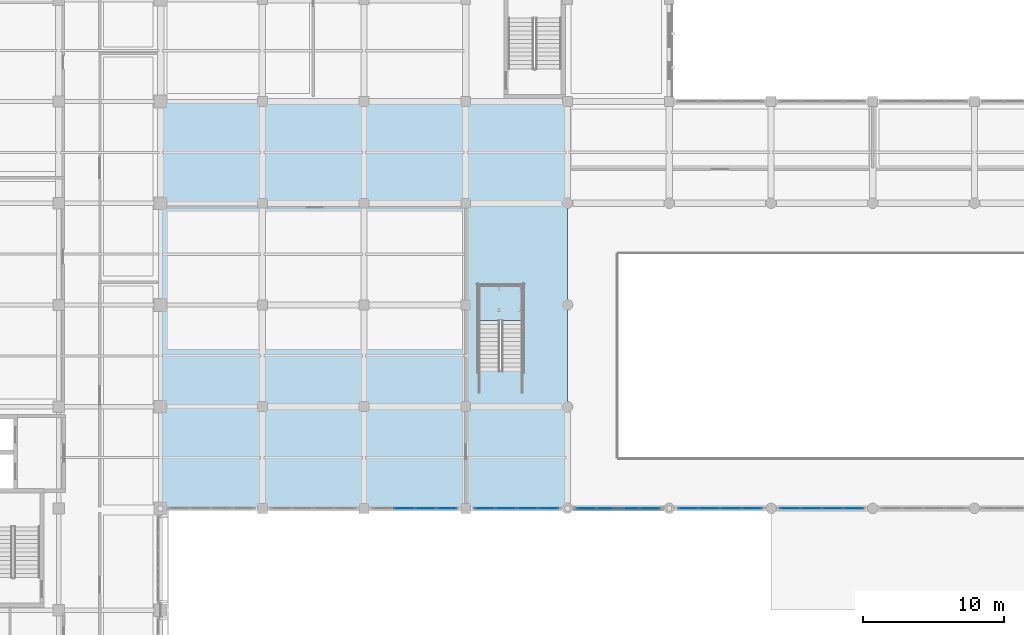
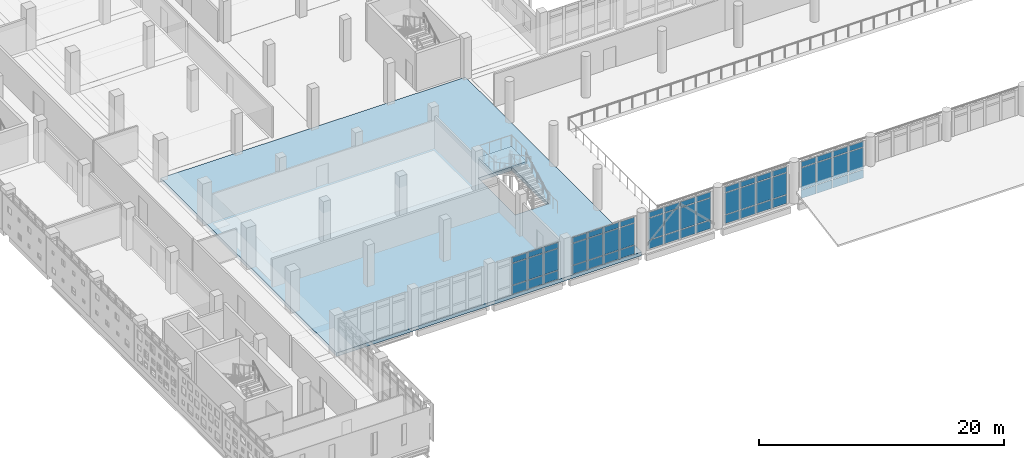
# One storey, part 24 of 57: 57 plates, 2 slabs, 6 elements without a shape of their own.
"""IFC4 building model written with IfcOpenShell, lengths in metres."""

from ifc_helpers import new_model, si_unit, direction, frame, origin, origin_2d, place, context, subcontext, project, spatial, polyline, rectangle, outline, extrude, material, layer, layer_set, type_object, element, aggregate, save


model = new_model("IFC4")

# Units and contexts
model_context = context("Model", 3, precision=1e-05, world=origin(), true_north=direction((0.0, 1.0)))
body_context = subcontext(model_context, "Body", "Model", "MODEL_VIEW")
ifc_project = project(units=[si_unit("LENGTHUNIT", "METRE"), si_unit("AREAUNIT", "SQUARE_METRE"), si_unit("VOLUMEUNIT", "CUBIC_METRE"), si_unit("PLANEANGLEUNIT", "RADIAN"), si_unit("MASSUNIT", "GRAM", prefix="KILO")], contexts=[model_context])

# Site, building, storey
site_placement = place(None, origin())
site = spatial("IfcSite", under=ifc_project, at=site_placement, CompositionType="ELEMENT")
building_placement = place(site_placement, origin())
building = spatial("IfcBuilding", under=site, at=building_placement, Name="Valkovuoma Quantum and Materials Research Institute", CompositionType="ELEMENT")
storey_placement = place(building_placement, frame((0.0, 0.0, 4.800048828125)))
storey = spatial("IfcBuildingStorey", under=building, at=storey_placement, Name="L01", CompositionType="ELEMENT", Elevation=4.800048828125)

# Curtain wall, plates
ifc_material_1 = material(Name="Thermally broken aluminium and triple low-E glazing", Category="aluminium")
ifc_layer_1 = layer(ifc_material_1, 0.219970703125)
ifc_layer_set_1 = layer_set([ifc_layer_1], Name="Thermally broken aluminium and triple low-E glazing")
curtain_wall_type = type_object("IfcCurtainWallType", Name="CW-CW-02", PredefinedType="NOTDEFINED", material=ifc_layer_set_1)
curtain_wall_1_placement = place(storey_placement, origin())
curtain_wall_1 = element("IfcCurtainWall", 1, at=curtain_wall_1_placement, inside=storey, type_object=curtain_wall_type, Name="L01 curtain wall 161", PredefinedType="NOTDEFINED")
ifc_material_2 = material(Name="Triple low-E argon insulating glass", Category="glass")
ifc_layer_2 = layer(ifc_material_2, 0.048095703125)
ifc_layer_set_2 = layer_set([ifc_layer_2], Name="Triple low-E argon insulating glass")
plate_type = type_object("IfcPlateType", Name="CWPanel-CWP-03", PredefinedType="CURTAIN_PANEL", material=ifc_layer_set_2)
plate_1_placement = place(storey_placement, frame((31.64501953125, 36.0, 0.074951171875), z_axis=(0.0, 0.0, 1.0), x_axis=(1.0, 0.0, 0.0)))
plate_1 = element("IfcPlate", 2, at=plate_1_placement, type_object=plate_type, Name="CW-02 panel 2.1", PredefinedType="CURTAIN_PANEL", context=body_context, shape_type="SweptSolid", body=[
    extrude(rectangle(XDim=1.429931640625, YDim=0.048095703125, at=origin_2d()), origin(), (0.0, 0.0, 1.0), 0.83740234375),
])
plate_2_placement = place(storey_placement, frame((31.64501953125, 36.0, 0.9873046875), z_axis=(0.0, 0.0, 1.0), x_axis=(1.0, 0.0, 0.0)))
plate_2 = element("IfcPlate", 3, at=plate_2_placement, type_object=plate_type, Name="CW-02 panel 2.2", PredefinedType="CURTAIN_PANEL", context=body_context, shape_type="SweptSolid", body=[
    extrude(rectangle(XDim=1.429931640625, YDim=0.048095703125, at=origin_2d()), origin(), (0.0, 0.0, 1.0), 2.135009765625),
])
plate_3_placement = place(storey_placement, frame((31.64501953125, 36.0, 3.197509765625), z_axis=(0.0, 0.0, 1.0), x_axis=(1.0, 0.0, 0.0)))
plate_3 = element("IfcPlate", 4, at=plate_3_placement, type_object=plate_type, Name="CW-02 panel 2.3", PredefinedType="CURTAIN_PANEL", context=body_context, shape_type="SweptSolid", body=[
    extrude(rectangle(XDim=1.429931640625, YDim=0.048095703125, at=origin_2d()), origin(), (0.0, 0.0, 1.0), 0.53759765625),
])
plate_4_placement = place(storey_placement, frame((33.155029296875, 36.0, 0.074951171875), z_axis=(0.0, 0.0, 1.0), x_axis=(1.0, 0.0, 0.0)))
plate_4 = element("IfcPlate", 5, at=plate_4_placement, type_object=plate_type, Name="CW-02 panel 3.1", PredefinedType="CURTAIN_PANEL", context=body_context, shape_type="SweptSolid", body=[
    extrude(rectangle(XDim=1.429931640625, YDim=0.048095703125, at=origin_2d()), origin(), (0.0, 0.0, 1.0), 0.83740234375),
])
plate_5_placement = place(storey_placement, frame((33.155029296875, 36.0, 0.9873046875), z_axis=(0.0, 0.0, 1.0), x_axis=(1.0, 0.0, 0.0)))
plate_5 = element("IfcPlate", 6, at=plate_5_placement, type_object=plate_type, Name="CW-02 panel 3.2", PredefinedType="CURTAIN_PANEL", context=body_context, shape_type="SweptSolid", body=[
    extrude(rectangle(XDim=1.429931640625, YDim=0.048095703125, at=origin_2d()), origin(), (0.0, 0.0, 1.0), 2.135009765625),
])
plate_6_placement = place(storey_placement, frame((33.155029296875, 36.0, 3.197509765625), z_axis=(0.0, 0.0, 1.0), x_axis=(1.0, 0.0, 0.0)))
plate_6 = element("IfcPlate", 7, at=plate_6_placement, type_object=plate_type, Name="CW-02 panel 3.3", PredefinedType="CURTAIN_PANEL", context=body_context, shape_type="SweptSolid", body=[
    extrude(rectangle(XDim=1.429931640625, YDim=0.048095703125, at=origin_2d()), origin(), (0.0, 0.0, 1.0), 0.53759765625),
])
plate_7_placement = place(storey_placement, frame((34.64501953125, 36.0, 0.074951171875), z_axis=(0.0, 0.0, 1.0), x_axis=(1.0, 0.0, 0.0)))
plate_7 = element("IfcPlate", 8, at=plate_7_placement, type_object=plate_type, Name="CW-02 panel 4.1", PredefinedType="CURTAIN_PANEL", context=body_context, shape_type="SweptSolid", body=[
    extrude(rectangle(XDim=1.389892578125, YDim=0.048095703125, at=origin_2d()), origin(), (0.0, 0.0, 1.0), 0.83740234375),
])
plate_8_placement = place(storey_placement, frame((34.64501953125, 36.0, 0.9873046875), z_axis=(0.0, 0.0, 1.0), x_axis=(1.0, 0.0, 0.0)))
plate_8 = element("IfcPlate", 9, at=plate_8_placement, type_object=plate_type, Name="CW-02 panel 4.2", PredefinedType="CURTAIN_PANEL", context=body_context, shape_type="SweptSolid", body=[
    extrude(rectangle(XDim=1.389892578125, YDim=0.048095703125, at=origin_2d()), origin(), (0.0, 0.0, 1.0), 2.135009765625),
])
plate_9_placement = place(storey_placement, frame((34.64501953125, 36.0, 3.197509765625), z_axis=(0.0, 0.0, 1.0), x_axis=(1.0, 0.0, 0.0)))
plate_9 = element("IfcPlate", 10, at=plate_9_placement, type_object=plate_type, Name="CW-02 panel 4.3", PredefinedType="CURTAIN_PANEL", context=body_context, shape_type="SweptSolid", body=[
    extrude(rectangle(XDim=1.389892578125, YDim=0.048095703125, at=origin_2d()), origin(), (0.0, 0.0, 1.0), 0.53759765625),
])
aggregate(curtain_wall_1, [plate_1, plate_2, plate_3, plate_4, plate_5, plate_6, plate_7, plate_8, plate_9])

curtain_wall_2_placement = place(storey_placement, origin())
curtain_wall_2 = element("IfcCurtainWall", 11, at=curtain_wall_2_placement, inside=storey, type_object=curtain_wall_type, Name="L01 curtain wall 162", PredefinedType="NOTDEFINED")
plate_10_placement = place(storey_placement, frame((37.35498046875, 36.0, 0.074951171875), z_axis=(0.0, 0.0, 1.0), x_axis=(1.0, 0.0, 0.0)))
plate_10 = element("IfcPlate", 12, at=plate_10_placement, type_object=plate_type, Name="CW-02 panel 1.1", PredefinedType="CURTAIN_PANEL", context=body_context, shape_type="SweptSolid", body=[
    extrude(rectangle(XDim=1.389892578125, YDim=0.048095703125, at=origin_2d()), origin(), (0.0, 0.0, 1.0), 0.83740234375),
])
plate_11_placement = place(storey_placement, frame((37.35498046875, 36.0, 0.9873046875), z_axis=(0.0, 0.0, 1.0), x_axis=(1.0, 0.0, 0.0)))
plate_11 = element("IfcPlate", 13, at=plate_11_placement, type_object=plate_type, Name="CW-02 panel 1.2", PredefinedType="CURTAIN_PANEL", context=body_context, shape_type="SweptSolid", body=[
    extrude(rectangle(XDim=1.389892578125, YDim=0.048095703125, at=origin_2d()), origin(), (0.0, 0.0, 1.0), 2.135009765625),
])
plate_12_placement = place(storey_placement, frame((37.35498046875, 36.0, 3.197509765625), z_axis=(0.0, 0.0, 1.0), x_axis=(1.0, 0.0, 0.0)))
plate_12 = element("IfcPlate", 14, at=plate_12_placement, type_object=plate_type, Name="CW-02 panel 1.3", PredefinedType="CURTAIN_PANEL", context=body_context, shape_type="SweptSolid", body=[
    extrude(rectangle(XDim=1.389892578125, YDim=0.048095703125, at=origin_2d()), origin(), (0.0, 0.0, 1.0), 0.53759765625),
])
plate_13_placement = place(storey_placement, frame((38.844970703125, 36.0, 0.074951171875), z_axis=(0.0, 0.0, 1.0), x_axis=(1.0, 0.0, 0.0)))
plate_13 = element("IfcPlate", 15, at=plate_13_placement, type_object=plate_type, Name="CW-02 panel 2.1", PredefinedType="CURTAIN_PANEL", context=body_context, shape_type="SweptSolid", body=[
    extrude(rectangle(XDim=1.429931640625, YDim=0.048095703125, at=origin_2d()), origin(), (0.0, 0.0, 1.0), 0.83740234375),
])
plate_14_placement = place(storey_placement, frame((38.844970703125, 36.0, 0.9873046875), z_axis=(0.0, 0.0, 1.0), x_axis=(1.0, 0.0, 0.0)))
plate_14 = element("IfcPlate", 16, at=plate_14_placement, type_object=plate_type, Name="CW-02 panel 2.2", PredefinedType="CURTAIN_PANEL", context=body_context, shape_type="SweptSolid", body=[
    extrude(rectangle(XDim=1.429931640625, YDim=0.048095703125, at=origin_2d()), origin(), (0.0, 0.0, 1.0), 2.135009765625),
])
plate_15_placement = place(storey_placement, frame((38.844970703125, 36.0, 3.197509765625), z_axis=(0.0, 0.0, 1.0), x_axis=(1.0, 0.0, 0.0)))
plate_15 = element("IfcPlate", 17, at=plate_15_placement, type_object=plate_type, Name="CW-02 panel 2.3", PredefinedType="CURTAIN_PANEL", context=body_context, shape_type="SweptSolid", body=[
    extrude(rectangle(XDim=1.429931640625, YDim=0.048095703125, at=origin_2d()), origin(), (0.0, 0.0, 1.0), 0.53759765625),
])
plate_16_placement = place(storey_placement, frame((40.35498046875, 36.0, 0.074951171875), z_axis=(0.0, 0.0, 1.0), x_axis=(1.0, 0.0, 0.0)))
plate_16 = element("IfcPlate", 18, at=plate_16_placement, type_object=plate_type, Name="CW-02 panel 3.1", PredefinedType="CURTAIN_PANEL", context=body_context, shape_type="SweptSolid", body=[
    extrude(rectangle(XDim=1.429931640625, YDim=0.048095703125, at=origin_2d()), origin(), (0.0, 0.0, 1.0), 0.83740234375),
])
plate_17_placement = place(storey_placement, frame((40.35498046875, 36.0, 0.9873046875), z_axis=(0.0, 0.0, 1.0), x_axis=(1.0, 0.0, 0.0)))
plate_17 = element("IfcPlate", 19, at=plate_17_placement, type_object=plate_type, Name="CW-02 panel 3.2", PredefinedType="CURTAIN_PANEL", context=body_context, shape_type="SweptSolid", body=[
    extrude(rectangle(XDim=1.429931640625, YDim=0.048095703125, at=origin_2d()), origin(), (0.0, 0.0, 1.0), 2.135009765625),
])
plate_18_placement = place(storey_placement, frame((40.35498046875, 36.0, 3.197509765625), z_axis=(0.0, 0.0, 1.0), x_axis=(1.0, 0.0, 0.0)))
plate_18 = element("IfcPlate", 20, at=plate_18_placement, type_object=plate_type, Name="CW-02 panel 3.3", PredefinedType="CURTAIN_PANEL", context=body_context, shape_type="SweptSolid", body=[
    extrude(rectangle(XDim=1.429931640625, YDim=0.048095703125, at=origin_2d()), origin(), (0.0, 0.0, 1.0), 0.53759765625),
])
plate_19_placement = place(storey_placement, frame((41.844970703125, 36.0, 0.074951171875), z_axis=(0.0, 0.0, 1.0), x_axis=(1.0, 0.0, 0.0)))
plate_19 = element("IfcPlate", 21, at=plate_19_placement, type_object=plate_type, Name="CW-02 panel 4.1", PredefinedType="CURTAIN_PANEL", context=body_context, shape_type="SweptSolid", body=[
    extrude(rectangle(XDim=1.389892578125, YDim=0.048095703125, at=origin_2d()), origin(), (0.0, 0.0, 1.0), 0.83740234375),
])
plate_20_placement = place(storey_placement, frame((41.844970703125, 36.0, 0.9873046875), z_axis=(0.0, 0.0, 1.0), x_axis=(1.0, 0.0, 0.0)))
plate_20 = element("IfcPlate", 22, at=plate_20_placement, type_object=plate_type, Name="CW-02 panel 4.2", PredefinedType="CURTAIN_PANEL", context=body_context, shape_type="SweptSolid", body=[
    extrude(rectangle(XDim=1.389892578125, YDim=0.048095703125, at=origin_2d()), origin(), (0.0, 0.0, 1.0), 2.135009765625),
])
plate_21_placement = place(storey_placement, frame((41.844970703125, 36.0, 3.197509765625), z_axis=(0.0, 0.0, 1.0), x_axis=(1.0, 0.0, 0.0)))
plate_21 = element("IfcPlate", 23, at=plate_21_placement, type_object=plate_type, Name="CW-02 panel 4.3", PredefinedType="CURTAIN_PANEL", context=body_context, shape_type="SweptSolid", body=[
    extrude(rectangle(XDim=1.389892578125, YDim=0.048095703125, at=origin_2d()), origin(), (0.0, 0.0, 1.0), 0.53759765625),
])
aggregate(curtain_wall_2, [plate_10, plate_11, plate_12, plate_13, plate_14, plate_15, plate_16, plate_17, plate_18, plate_19, plate_20, plate_21])

curtain_wall_3_placement = place(storey_placement, origin())
curtain_wall_3 = element("IfcCurtainWall", 24, at=curtain_wall_3_placement, inside=storey, type_object=curtain_wall_type, Name="L01 curtain wall 163", PredefinedType="NOTDEFINED")
plate_22_placement = place(storey_placement, frame((44.554931640625, 36.0, 0.074951171875), z_axis=(0.0, 0.0, 1.0), x_axis=(1.0, 0.0, 0.0)))
plate_22 = element("IfcPlate", 25, at=plate_22_placement, type_object=plate_type, Name="CW-02 panel 1.1", PredefinedType="CURTAIN_PANEL", context=body_context, shape_type="SweptSolid", body=[
    extrude(rectangle(XDim=1.389892578125, YDim=0.048095703125, at=origin_2d()), origin(), (0.0, 0.0, 1.0), 0.83740234375),
])
plate_23_placement = place(storey_placement, frame((44.554931640625, 36.0, 0.9873046875), z_axis=(0.0, 0.0, 1.0), x_axis=(1.0, 0.0, 0.0)))
plate_23 = element("IfcPlate", 26, at=plate_23_placement, type_object=plate_type, Name="CW-02 panel 1.2", PredefinedType="CURTAIN_PANEL", context=body_context, shape_type="SweptSolid", body=[
    extrude(rectangle(XDim=1.389892578125, YDim=0.048095703125, at=origin_2d()), origin(), (0.0, 0.0, 1.0), 2.135009765625),
])
plate_24_placement = place(storey_placement, frame((44.554931640625, 36.0, 3.197509765625), z_axis=(0.0, 0.0, 1.0), x_axis=(1.0, 0.0, 0.0)))
plate_24 = element("IfcPlate", 27, at=plate_24_placement, type_object=plate_type, Name="CW-02 panel 1.3", PredefinedType="CURTAIN_PANEL", context=body_context, shape_type="SweptSolid", body=[
    extrude(rectangle(XDim=1.389892578125, YDim=0.048095703125, at=origin_2d()), origin(), (0.0, 0.0, 1.0), 0.53759765625),
])
plate_25_placement = place(storey_placement, frame((46.044921875, 36.0, 0.074951171875), z_axis=(0.0, 0.0, 1.0), x_axis=(1.0, 0.0, 0.0)))
plate_25 = element("IfcPlate", 28, at=plate_25_placement, type_object=plate_type, Name="CW-02 panel 2.1", PredefinedType="CURTAIN_PANEL", context=body_context, shape_type="SweptSolid", body=[
    extrude(rectangle(XDim=1.429931640625, YDim=0.048095703125, at=origin_2d()), origin(), (0.0, 0.0, 1.0), 0.83740234375),
])
plate_26_placement = place(storey_placement, frame((46.044921875, 36.0, 0.9873046875), z_axis=(0.0, 0.0, 1.0), x_axis=(1.0, 0.0, 0.0)))
plate_26 = element("IfcPlate", 29, at=plate_26_placement, type_object=plate_type, Name="CW-02 panel 2.2", PredefinedType="CURTAIN_PANEL", context=body_context, shape_type="SweptSolid", body=[
    extrude(rectangle(XDim=1.429931640625, YDim=0.048095703125, at=origin_2d()), origin(), (0.0, 0.0, 1.0), 2.135009765625),
])
plate_27_placement = place(storey_placement, frame((46.044921875, 36.0, 3.197509765625), z_axis=(0.0, 0.0, 1.0), x_axis=(1.0, 0.0, 0.0)))
plate_27 = element("IfcPlate", 30, at=plate_27_placement, type_object=plate_type, Name="CW-02 panel 2.3", PredefinedType="CURTAIN_PANEL", context=body_context, shape_type="SweptSolid", body=[
    extrude(rectangle(XDim=1.429931640625, YDim=0.048095703125, at=origin_2d()), origin(), (0.0, 0.0, 1.0), 0.53759765625),
])
plate_28_placement = place(storey_placement, frame((47.554931640625, 36.0, 0.074951171875), z_axis=(0.0, 0.0, 1.0), x_axis=(1.0, 0.0, 0.0)))
plate_28 = element("IfcPlate", 31, at=plate_28_placement, type_object=plate_type, Name="CW-02 panel 3.1", PredefinedType="CURTAIN_PANEL", context=body_context, shape_type="SweptSolid", body=[
    extrude(rectangle(XDim=1.429931640625, YDim=0.048095703125, at=origin_2d()), origin(), (0.0, 0.0, 1.0), 0.83740234375),
])
plate_29_placement = place(storey_placement, frame((47.554931640625, 36.0, 0.9873046875), z_axis=(0.0, 0.0, 1.0), x_axis=(1.0, 0.0, 0.0)))
plate_29 = element("IfcPlate", 32, at=plate_29_placement, type_object=plate_type, Name="CW-02 panel 3.2", PredefinedType="CURTAIN_PANEL", context=body_context, shape_type="SweptSolid", body=[
    extrude(rectangle(XDim=1.429931640625, YDim=0.048095703125, at=origin_2d()), origin(), (0.0, 0.0, 1.0), 2.135009765625),
])
plate_30_placement = place(storey_placement, frame((47.554931640625, 36.0, 3.197509765625), z_axis=(0.0, 0.0, 1.0), x_axis=(1.0, 0.0, 0.0)))
plate_30 = element("IfcPlate", 33, at=plate_30_placement, type_object=plate_type, Name="CW-02 panel 3.3", PredefinedType="CURTAIN_PANEL", context=body_context, shape_type="SweptSolid", body=[
    extrude(rectangle(XDim=1.429931640625, YDim=0.048095703125, at=origin_2d()), origin(), (0.0, 0.0, 1.0), 0.53759765625),
])
plate_31_placement = place(storey_placement, frame((49.044921875, 36.0, 0.074951171875), z_axis=(0.0, 0.0, 1.0), x_axis=(1.0, 0.0, 0.0)))
plate_31 = element("IfcPlate", 34, at=plate_31_placement, type_object=plate_type, Name="CW-02 panel 4.1", PredefinedType="CURTAIN_PANEL", context=body_context, shape_type="SweptSolid", body=[
    extrude(rectangle(XDim=1.389892578125, YDim=0.048095703125, at=origin_2d()), origin(), (0.0, 0.0, 1.0), 0.83740234375),
])
plate_32_placement = place(storey_placement, frame((49.044921875, 36.0, 0.9873046875), z_axis=(0.0, 0.0, 1.0), x_axis=(1.0, 0.0, 0.0)))
plate_32 = element("IfcPlate", 35, at=plate_32_placement, type_object=plate_type, Name="CW-02 panel 4.2", PredefinedType="CURTAIN_PANEL", context=body_context, shape_type="SweptSolid", body=[
    extrude(rectangle(XDim=1.389892578125, YDim=0.048095703125, at=origin_2d()), origin(), (0.0, 0.0, 1.0), 2.135009765625),
])
plate_33_placement = place(storey_placement, frame((49.044921875, 36.0, 3.197509765625), z_axis=(0.0, 0.0, 1.0), x_axis=(1.0, 0.0, 0.0)))
plate_33 = element("IfcPlate", 36, at=plate_33_placement, type_object=plate_type, Name="CW-02 panel 4.3", PredefinedType="CURTAIN_PANEL", context=body_context, shape_type="SweptSolid", body=[
    extrude(rectangle(XDim=1.389892578125, YDim=0.048095703125, at=origin_2d()), origin(), (0.0, 0.0, 1.0), 0.53759765625),
])
aggregate(curtain_wall_3, [plate_22, plate_23, plate_24, plate_25, plate_26, plate_27, plate_28, plate_29, plate_30, plate_31, plate_32, plate_33])

curtain_wall_4_placement = place(storey_placement, origin())
curtain_wall_4 = element("IfcCurtainWall", 37, at=curtain_wall_4_placement, inside=storey, type_object=curtain_wall_type, Name="L01 curtain wall 164", PredefinedType="NOTDEFINED")
plate_34_placement = place(storey_placement, frame((51.7548828125, 36.0, 0.074951171875), z_axis=(0.0, 0.0, 1.0), x_axis=(1.0, 0.0, 0.0)))
plate_34 = element("IfcPlate", 38, at=plate_34_placement, type_object=plate_type, Name="CW-02 panel 1.1", PredefinedType="CURTAIN_PANEL", context=body_context, shape_type="SweptSolid", body=[
    extrude(rectangle(XDim=1.389892578125, YDim=0.048095703125, at=origin_2d()), origin(), (0.0, 0.0, 1.0), 0.83740234375),
])
plate_35_placement = place(storey_placement, frame((51.7548828125, 36.0, 0.9873046875), z_axis=(0.0, 0.0, 1.0), x_axis=(1.0, 0.0, 0.0)))
plate_35 = element("IfcPlate", 39, at=plate_35_placement, type_object=plate_type, Name="CW-02 panel 1.2", PredefinedType="CURTAIN_PANEL", context=body_context, shape_type="SweptSolid", body=[
    extrude(rectangle(XDim=1.389892578125, YDim=0.048095703125, at=origin_2d()), origin(), (0.0, 0.0, 1.0), 2.135009765625),
])
plate_36_placement = place(storey_placement, frame((51.7548828125, 36.0, 3.197509765625), z_axis=(0.0, 0.0, 1.0), x_axis=(1.0, 0.0, 0.0)))
plate_36 = element("IfcPlate", 40, at=plate_36_placement, type_object=plate_type, Name="CW-02 panel 1.3", PredefinedType="CURTAIN_PANEL", context=body_context, shape_type="SweptSolid", body=[
    extrude(rectangle(XDim=1.389892578125, YDim=0.048095703125, at=origin_2d()), origin(), (0.0, 0.0, 1.0), 0.53759765625),
])
plate_37_placement = place(storey_placement, frame((53.2451171875, 36.0, 0.074951171875), z_axis=(0.0, 0.0, 1.0), x_axis=(1.0, 0.0, 0.0)))
plate_37 = element("IfcPlate", 41, at=plate_37_placement, type_object=plate_type, Name="CW-02 panel 2.1", PredefinedType="CURTAIN_PANEL", context=body_context, shape_type="SweptSolid", body=[
    extrude(rectangle(XDim=1.429931640625, YDim=0.048095703125, at=origin_2d()), origin(), (0.0, 0.0, 1.0), 0.83740234375),
])
plate_38_placement = place(storey_placement, frame((53.2451171875, 36.0, 0.9873046875), z_axis=(0.0, 0.0, 1.0), x_axis=(1.0, 0.0, 0.0)))
plate_38 = element("IfcPlate", 42, at=plate_38_placement, type_object=plate_type, Name="CW-02 panel 2.2", PredefinedType="CURTAIN_PANEL", context=body_context, shape_type="SweptSolid", body=[
    extrude(rectangle(XDim=1.429931640625, YDim=0.048095703125, at=origin_2d()), origin(), (0.0, 0.0, 1.0), 2.135009765625),
])
plate_39_placement = place(storey_placement, frame((53.2451171875, 36.0, 3.197509765625), z_axis=(0.0, 0.0, 1.0), x_axis=(1.0, 0.0, 0.0)))
plate_39 = element("IfcPlate", 43, at=plate_39_placement, type_object=plate_type, Name="CW-02 panel 2.3", PredefinedType="CURTAIN_PANEL", context=body_context, shape_type="SweptSolid", body=[
    extrude(rectangle(XDim=1.429931640625, YDim=0.048095703125, at=origin_2d()), origin(), (0.0, 0.0, 1.0), 0.53759765625),
])
plate_40_placement = place(storey_placement, frame((54.7548828125, 36.0, 0.074951171875), z_axis=(0.0, 0.0, 1.0), x_axis=(1.0, 0.0, 0.0)))
plate_40 = element("IfcPlate", 44, at=plate_40_placement, type_object=plate_type, Name="CW-02 panel 3.1", PredefinedType="CURTAIN_PANEL", context=body_context, shape_type="SweptSolid", body=[
    extrude(rectangle(XDim=1.429931640625, YDim=0.048095703125, at=origin_2d()), origin(), (0.0, 0.0, 1.0), 0.83740234375),
])
plate_41_placement = place(storey_placement, frame((54.7548828125, 36.0, 0.9873046875), z_axis=(0.0, 0.0, 1.0), x_axis=(1.0, 0.0, 0.0)))
plate_41 = element("IfcPlate", 45, at=plate_41_placement, type_object=plate_type, Name="CW-02 panel 3.2", PredefinedType="CURTAIN_PANEL", context=body_context, shape_type="SweptSolid", body=[
    extrude(rectangle(XDim=1.429931640625, YDim=0.048095703125, at=origin_2d()), origin(), (0.0, 0.0, 1.0), 2.135009765625),
])
plate_42_placement = place(storey_placement, frame((54.7548828125, 36.0, 3.197509765625), z_axis=(0.0, 0.0, 1.0), x_axis=(1.0, 0.0, 0.0)))
plate_42 = element("IfcPlate", 46, at=plate_42_placement, type_object=plate_type, Name="CW-02 panel 3.3", PredefinedType="CURTAIN_PANEL", context=body_context, shape_type="SweptSolid", body=[
    extrude(rectangle(XDim=1.429931640625, YDim=0.048095703125, at=origin_2d()), origin(), (0.0, 0.0, 1.0), 0.53759765625),
])
plate_43_placement = place(storey_placement, frame((56.2451171875, 36.0, 0.074951171875), z_axis=(0.0, 0.0, 1.0), x_axis=(1.0, 0.0, 0.0)))
plate_43 = element("IfcPlate", 47, at=plate_43_placement, type_object=plate_type, Name="CW-02 panel 4.1", PredefinedType="CURTAIN_PANEL", context=body_context, shape_type="SweptSolid", body=[
    extrude(rectangle(XDim=1.389892578125, YDim=0.048095703125, at=origin_2d()), origin(), (0.0, 0.0, 1.0), 0.83740234375),
])
plate_44_placement = place(storey_placement, frame((56.2451171875, 36.0, 0.9873046875), z_axis=(0.0, 0.0, 1.0), x_axis=(1.0, 0.0, 0.0)))
plate_44 = element("IfcPlate", 48, at=plate_44_placement, type_object=plate_type, Name="CW-02 panel 4.2", PredefinedType="CURTAIN_PANEL", context=body_context, shape_type="SweptSolid", body=[
    extrude(rectangle(XDim=1.389892578125, YDim=0.048095703125, at=origin_2d()), origin(), (0.0, 0.0, 1.0), 2.135009765625),
])
plate_45_placement = place(storey_placement, frame((56.2451171875, 36.0, 3.197509765625), z_axis=(0.0, 0.0, 1.0), x_axis=(1.0, 0.0, 0.0)))
plate_45 = element("IfcPlate", 49, at=plate_45_placement, type_object=plate_type, Name="CW-02 panel 4.3", PredefinedType="CURTAIN_PANEL", context=body_context, shape_type="SweptSolid", body=[
    extrude(rectangle(XDim=1.389892578125, YDim=0.048095703125, at=origin_2d()), origin(), (0.0, 0.0, 1.0), 0.53759765625),
])
aggregate(curtain_wall_4, [plate_34, plate_35, plate_36, plate_37, plate_38, plate_39, plate_40, plate_41, plate_42, plate_43, plate_44, plate_45])

curtain_wall_5_placement = place(storey_placement, origin())
curtain_wall_5 = element("IfcCurtainWall", 50, at=curtain_wall_5_placement, inside=storey, type_object=curtain_wall_type, Name="L01 curtain wall 165", PredefinedType="NOTDEFINED")
plate_46_placement = place(storey_placement, frame((58.955078125, 36.0, 0.074951171875), z_axis=(0.0, 0.0, 1.0), x_axis=(1.0, 0.0, 0.0)))
plate_46 = element("IfcPlate", 51, at=plate_46_placement, type_object=plate_type, Name="CW-02 panel 1.1", PredefinedType="CURTAIN_PANEL", context=body_context, shape_type="SweptSolid", body=[
    extrude(rectangle(XDim=1.389892578125, YDim=0.048095703125, at=origin_2d()), origin(), (0.0, 0.0, 1.0), 0.83740234375),
])
plate_47_placement = place(storey_placement, frame((58.955078125, 36.0, 0.9873046875), z_axis=(0.0, 0.0, 1.0), x_axis=(1.0, 0.0, 0.0)))
plate_47 = element("IfcPlate", 52, at=plate_47_placement, type_object=plate_type, Name="CW-02 panel 1.2", PredefinedType="CURTAIN_PANEL", context=body_context, shape_type="SweptSolid", body=[
    extrude(rectangle(XDim=1.389892578125, YDim=0.048095703125, at=origin_2d()), origin(), (0.0, 0.0, 1.0), 2.135009765625),
])
plate_48_placement = place(storey_placement, frame((58.955078125, 36.0, 3.197509765625), z_axis=(0.0, 0.0, 1.0), x_axis=(1.0, 0.0, 0.0)))
plate_48 = element("IfcPlate", 53, at=plate_48_placement, type_object=plate_type, Name="CW-02 panel 1.3", PredefinedType="CURTAIN_PANEL", context=body_context, shape_type="SweptSolid", body=[
    extrude(rectangle(XDim=1.389892578125, YDim=0.048095703125, at=origin_2d()), origin(), (0.0, 0.0, 1.0), 0.53759765625),
])
plate_49_placement = place(storey_placement, frame((60.445068359375, 36.0, 0.074951171875), z_axis=(0.0, 0.0, 1.0), x_axis=(1.0, 0.0, 0.0)))
plate_49 = element("IfcPlate", 54, at=plate_49_placement, type_object=plate_type, Name="CW-02 panel 2.1", PredefinedType="CURTAIN_PANEL", context=body_context, shape_type="SweptSolid", body=[
    extrude(rectangle(XDim=1.429931640625, YDim=0.048095703125, at=origin_2d()), origin(), (0.0, 0.0, 1.0), 0.83740234375),
])
plate_50_placement = place(storey_placement, frame((60.445068359375, 36.0, 0.9873046875), z_axis=(0.0, 0.0, 1.0), x_axis=(1.0, 0.0, 0.0)))
plate_50 = element("IfcPlate", 55, at=plate_50_placement, type_object=plate_type, Name="CW-02 panel 2.2", PredefinedType="CURTAIN_PANEL", context=body_context, shape_type="SweptSolid", body=[
    extrude(rectangle(XDim=1.429931640625, YDim=0.048095703125, at=origin_2d()), origin(), (0.0, 0.0, 1.0), 2.135009765625),
])
plate_51_placement = place(storey_placement, frame((60.445068359375, 36.0, 3.197509765625), z_axis=(0.0, 0.0, 1.0), x_axis=(1.0, 0.0, 0.0)))
plate_51 = element("IfcPlate", 56, at=plate_51_placement, type_object=plate_type, Name="CW-02 panel 2.3", PredefinedType="CURTAIN_PANEL", context=body_context, shape_type="SweptSolid", body=[
    extrude(rectangle(XDim=1.429931640625, YDim=0.048095703125, at=origin_2d()), origin(), (0.0, 0.0, 1.0), 0.53759765625),
])
plate_52_placement = place(storey_placement, frame((61.955078125, 36.0, 0.074951171875), z_axis=(0.0, 0.0, 1.0), x_axis=(1.0, 0.0, 0.0)))
plate_52 = element("IfcPlate", 57, at=plate_52_placement, type_object=plate_type, Name="CW-02 panel 3.1", PredefinedType="CURTAIN_PANEL", context=body_context, shape_type="SweptSolid", body=[
    extrude(rectangle(XDim=1.429931640625, YDim=0.048095703125, at=origin_2d()), origin(), (0.0, 0.0, 1.0), 0.83740234375),
])
plate_53_placement = place(storey_placement, frame((61.955078125, 36.0, 0.9873046875), z_axis=(0.0, 0.0, 1.0), x_axis=(1.0, 0.0, 0.0)))
plate_53 = element("IfcPlate", 58, at=plate_53_placement, type_object=plate_type, Name="CW-02 panel 3.2", PredefinedType="CURTAIN_PANEL", context=body_context, shape_type="SweptSolid", body=[
    extrude(rectangle(XDim=1.429931640625, YDim=0.048095703125, at=origin_2d()), origin(), (0.0, 0.0, 1.0), 2.135009765625),
])
plate_54_placement = place(storey_placement, frame((61.955078125, 36.0, 3.197509765625), z_axis=(0.0, 0.0, 1.0), x_axis=(1.0, 0.0, 0.0)))
plate_54 = element("IfcPlate", 59, at=plate_54_placement, type_object=plate_type, Name="CW-02 panel 3.3", PredefinedType="CURTAIN_PANEL", context=body_context, shape_type="SweptSolid", body=[
    extrude(rectangle(XDim=1.429931640625, YDim=0.048095703125, at=origin_2d()), origin(), (0.0, 0.0, 1.0), 0.53759765625),
])
plate_55_placement = place(storey_placement, frame((63.445068359375, 36.0, 0.074951171875), z_axis=(0.0, 0.0, 1.0), x_axis=(1.0, 0.0, 0.0)))
plate_55 = element("IfcPlate", 60, at=plate_55_placement, type_object=plate_type, Name="CW-02 panel 4.1", PredefinedType="CURTAIN_PANEL", context=body_context, shape_type="SweptSolid", body=[
    extrude(rectangle(XDim=1.389892578125, YDim=0.048095703125, at=origin_2d()), origin(), (0.0, 0.0, 1.0), 0.83740234375),
])
plate_56_placement = place(storey_placement, frame((63.445068359375, 36.0, 0.9873046875), z_axis=(0.0, 0.0, 1.0), x_axis=(1.0, 0.0, 0.0)))
plate_56 = element("IfcPlate", 61, at=plate_56_placement, type_object=plate_type, Name="CW-02 panel 4.2", PredefinedType="CURTAIN_PANEL", context=body_context, shape_type="SweptSolid", body=[
    extrude(rectangle(XDim=1.389892578125, YDim=0.048095703125, at=origin_2d()), origin(), (0.0, 0.0, 1.0), 2.135009765625),
])
plate_57_placement = place(storey_placement, frame((63.445068359375, 36.0, 3.197509765625), z_axis=(0.0, 0.0, 1.0), x_axis=(1.0, 0.0, 0.0)))
plate_57 = element("IfcPlate", 62, at=plate_57_placement, type_object=plate_type, Name="CW-02 panel 4.3", PredefinedType="CURTAIN_PANEL", context=body_context, shape_type="SweptSolid", body=[
    extrude(rectangle(XDim=1.389892578125, YDim=0.048095703125, at=origin_2d()), origin(), (0.0, 0.0, 1.0), 0.53759765625),
])
aggregate(curtain_wall_5, [plate_46, plate_47, plate_48, plate_49, plate_50, plate_51, plate_52, plate_53, plate_54, plate_55, plate_56, plate_57])

# Slab
ifc_material_3 = material(Name="Concrete C40/50", Category="concrete")
ifc_layer_3 = layer(ifc_material_3, 0.35009765625)
ifc_layer_set_3 = layer_set([ifc_layer_3], Name="Concrete C40/50")
slab_type_1 = type_object("IfcSlabType", Name="Slab-SL-FL350", PredefinedType="FLOOR", material=ifc_layer_set_3)
slab_1_placement = place(storey_placement, frame((0.0, 0.0, -0.35009765625)))
element("IfcSlab", 63, at=slab_1_placement, inside=storey, type_object=slab_type_1, Name="L01 vol2_atrium structural slab 1", PredefinedType="FLOOR", context=body_context, shape_type="SweptSolid", body=[
    extrude(outline(polyline([(14.39990234375, 36.0), (43.199951171875, 36.0), (43.199951171875, 64.800048828125), (14.39990234375, 64.800048828125), (14.39990234375, 36.0)]), holes=[polyline([(36.89990234375, 45.760009765625), (40.050048828125, 45.760009765625), (40.050048828125, 51.800048828125), (36.89990234375, 51.800048828125), (36.89990234375, 45.760009765625)])]), origin(), (0.0, 0.0, 1.0), 0.35009765625),
])

# Stair, slab
ifc_material_4 = material(Name="Concrete C40/50", Category="concrete")
stair_type = type_object("IfcStairType", Name="Stair-ST-ATR", PredefinedType="HALF_TURN_STAIR", material=ifc_material_4)
stair_placement = place(storey_placement, origin())
stair = element("IfcStair", 64, at=stair_placement, inside=storey, type_object=stair_type, Name="L01 Atrium Stair ST-5", PredefinedType="HALF_TURN_STAIR")
ifc_material_5 = material(Name="Concrete C40/50", Category="concrete")
ifc_layer_4 = layer(ifc_material_5, 0.199951171875)
ifc_layer_set_4 = layer_set([ifc_layer_4], Name="Concrete C40/50")
slab_type_2 = type_object("IfcSlabType", Name="Slab-SL-LND200", PredefinedType="LANDING", material=ifc_layer_set_4)
slab_2_placement = place(storey_placement, frame((0.0, 0.0, 1.8798828125)))
slab_2 = element("IfcSlab", 65, at=slab_2_placement, type_object=slab_type_2, Name="ST-5 landing 1", PredefinedType="LANDING", context=body_context, shape_type="SweptSolid", body=[
    extrude(outline(polyline([(40.050048828125, 49.300048828125), (40.050048828125, 51.800048828125), (36.89990234375, 51.800048828125), (36.89990234375, 49.300048828125), (40.050048828125, 49.300048828125)])), origin(), (0.0, 0.0, 1.0), 0.199951171875),
])
aggregate(stair, [slab_2])

save(model, "model.ifc")
